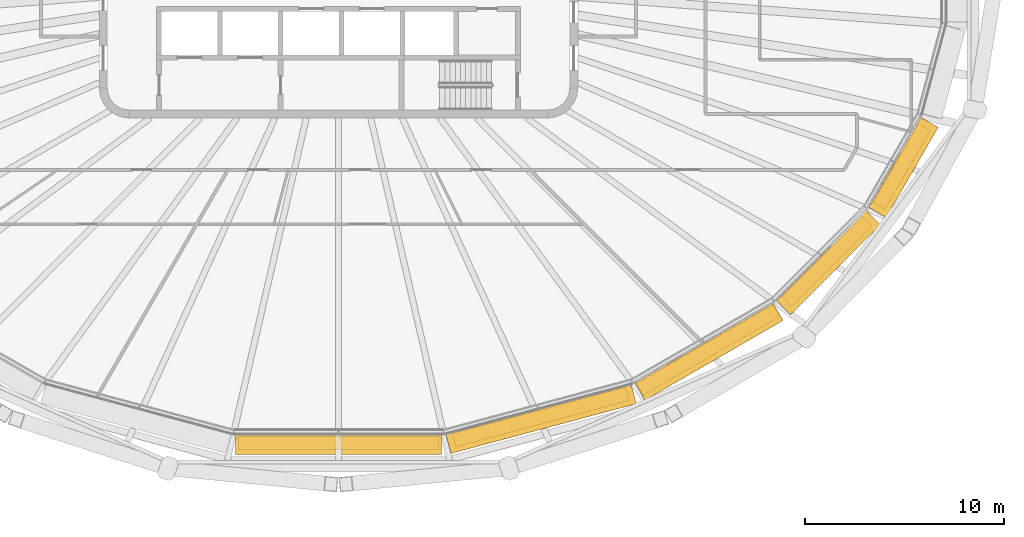
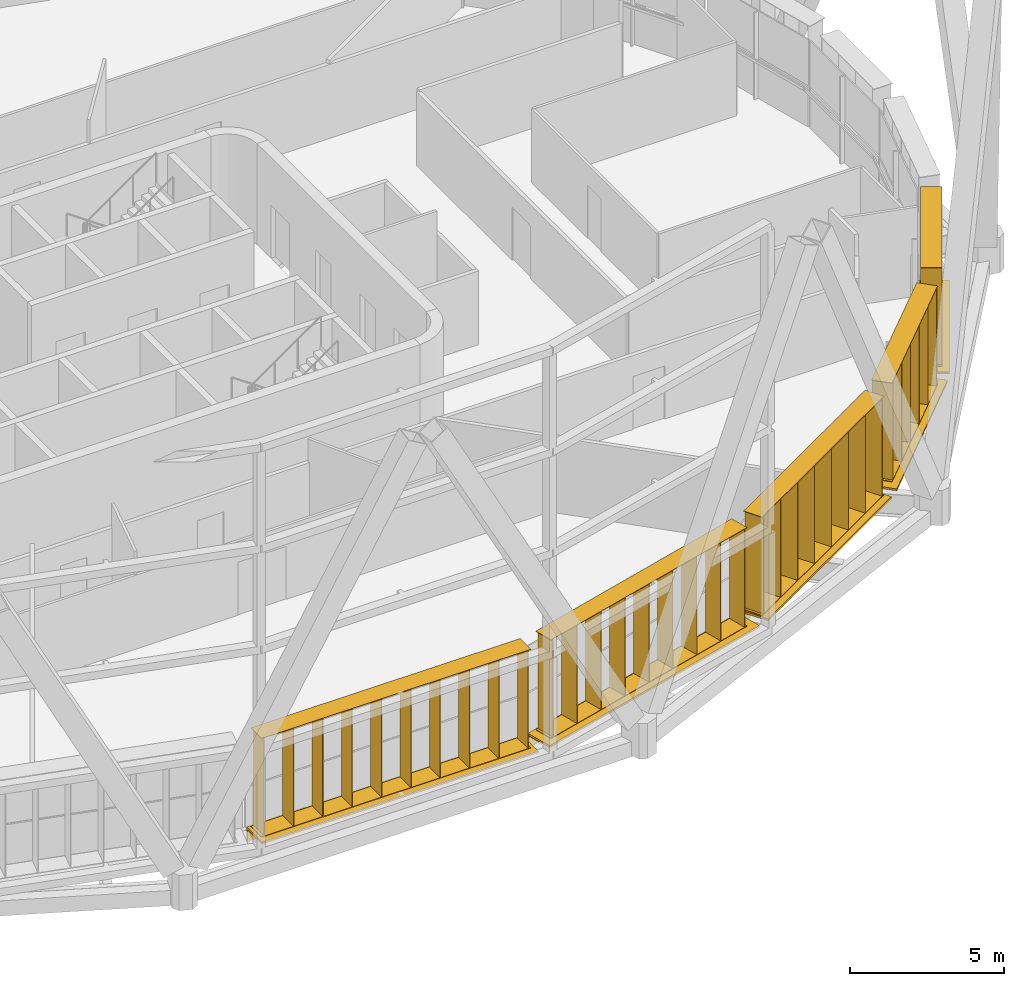
# One storey, part 20 of 22: 10 shading devices.
"""IFC4 building model written with IfcOpenShell, lengths in metres."""

from ifc_helpers import new_model, si_unit, direction, frame, origin, origin_2d, place, context, subcontext, project, spatial, rectangle, extrude, material, type_object, element, save


model = new_model("IFC4")

# Units and contexts
model_context = context("Model", 3, precision=1e-05, world=origin(), true_north=direction((0.0, 1.0)))
body_context = subcontext(model_context, "Body", "Model", "MODEL_VIEW")
ifc_project = project(units=[si_unit("LENGTHUNIT", "METRE"), si_unit("AREAUNIT", "SQUARE_METRE"), si_unit("VOLUMEUNIT", "CUBIC_METRE"), si_unit("PLANEANGLEUNIT", "RADIAN"), si_unit("MASSUNIT", "GRAM", prefix="KILO")], contexts=[model_context])

# Site, building, storey
site_placement = place(None, origin())
site = spatial("IfcSite", under=ifc_project, at=site_placement, CompositionType="ELEMENT")
building_placement = place(site_placement, origin())
building = spatial("IfcBuilding", under=site, at=building_placement, Name="Sahrelin Media Tower", CompositionType="ELEMENT")
storey_placement = place(building_placement, frame((0.0, 0.0, 233.60009765625)))
storey = spatial("IfcBuildingStorey", under=building, at=storey_placement, Name="L50", CompositionType="ELEMENT", Elevation=233.60009765625)

# Shading devices
ifc_material = material(Name="Champagne anodised aluminium 6063-T6", Category="aluminium")
shading_device_type_1 = type_object("IfcShadingDeviceType", Name="Fin cassette", PredefinedType="USERDEFINED", material=ifc_material)
placement_1 = place(storey_placement, frame((0.0, -22.869140625, 0.0), z_axis=(0.0, 0.0, 1.0), x_axis=(-1.0, 0.0, 0.0)))
element("IfcShadingDevice", 1, at=placement_1, inside=storey, type_object=shading_device_type_1, Name="L50:FIN:L50-18", ObjectType="FIN", PredefinedType="USERDEFINED", context=body_context, shape_type="SweptSolid", body=[
    extrude(rectangle(XDim=10.10009765625, YDim=0.699951171875, at=origin_2d()), frame((0.0, 0.419921875, 0.0)), (0.0, 0.0, 1.0), 0.02001953125),
    extrude(rectangle(XDim=10.10009765625, YDim=0.699951171875, at=origin_2d()), frame((0.0, 0.419921875, 3.89990234375)), (0.0, 0.0, 1.0), 0.02001953125),
    extrude(rectangle(XDim=0.02001953125, YDim=0.699951171875, at=origin_2d()), frame((-4.949951171875, 0.419921875, 0.010009765625), z_axis=(0.0, 0.0, 1.0), x_axis=(1.0, 0.0, 0.0)), (0.0, 0.0, 1.0), 3.89990234375),
    extrude(rectangle(XDim=0.02001953125, YDim=0.699951171875, at=origin_2d()), frame((-3.85009765625, 0.419921875, 0.010009765625), z_axis=(0.0, 0.0, 1.0), x_axis=(1.0, 0.0, 0.0)), (0.0, 0.0, 1.0), 3.89990234375),
    extrude(rectangle(XDim=0.02001953125, YDim=0.699951171875, at=origin_2d()), frame((-2.75, 0.419921875, 0.010009765625), z_axis=(0.0, 0.0, 1.0), x_axis=(1.0, 0.0, 0.0)), (0.0, 0.0, 1.0), 3.89990234375),
    extrude(rectangle(XDim=0.02001953125, YDim=0.699951171875, at=origin_2d()), frame((-1.64990234375, 0.419921875, 0.010009765625), z_axis=(0.0, 0.0, 1.0), x_axis=(1.0, 0.0, 0.0)), (0.0, 0.0, 1.0), 3.89990234375),
    extrude(rectangle(XDim=0.02001953125, YDim=0.699951171875, at=origin_2d()), frame((-0.550048828125, 0.419921875, 0.010009765625), z_axis=(0.0, 0.0, 1.0), x_axis=(1.0, 0.0, 0.0)), (0.0, 0.0, 1.0), 3.89990234375),
    extrude(rectangle(XDim=0.02001953125, YDim=0.699951171875, at=origin_2d()), frame((0.550048828125, 0.419921875, 0.010009765625), z_axis=(0.0, 0.0, 1.0), x_axis=(1.0, 0.0, 0.0)), (0.0, 0.0, 1.0), 3.89990234375),
    extrude(rectangle(XDim=0.02001953125, YDim=0.699951171875, at=origin_2d()), frame((1.64990234375, 0.419921875, 0.010009765625), z_axis=(0.0, 0.0, 1.0), x_axis=(1.0, 0.0, 0.0)), (0.0, 0.0, 1.0), 3.89990234375),
    extrude(rectangle(XDim=0.02001953125, YDim=0.699951171875, at=origin_2d()), frame((2.75, 0.419921875, 0.010009765625), z_axis=(0.0, 0.0, 1.0), x_axis=(1.0, 0.0, 0.0)), (0.0, 0.0, 1.0), 3.89990234375),
    extrude(rectangle(XDim=0.02001953125, YDim=0.699951171875, at=origin_2d()), frame((3.85009765625, 0.419921875, 0.010009765625), z_axis=(0.0, 0.0, 1.0), x_axis=(1.0, 0.0, 0.0)), (0.0, 0.0, 1.0), 3.89990234375),
    extrude(rectangle(XDim=0.02001953125, YDim=0.699951171875, at=origin_2d()), frame((4.949951171875, 0.419921875, 0.010009765625), z_axis=(0.0, 0.0, 1.0), x_axis=(1.0, 0.0, 0.0)), (0.0, 0.0, 1.0), 3.89990234375),
])
placement_2 = place(storey_placement, frame((10.025634765625, -21.596923828125, 0.0), z_axis=(0.0, 0.0, 1.0), x_axis=(-0.965928857556, -0.258807731996, 0.0)))
element("IfcShadingDevice", 2, at=placement_2, inside=storey, type_object=shading_device_type_1, Name="L50:FIN:L50-19", ObjectType="FIN", PredefinedType="USERDEFINED", context=body_context, shape_type="SweptSolid", body=[
    extrude(rectangle(XDim=9.0, YDim=0.699951171875, at=origin_2d()), frame((0.0, 0.419921875, 0.0)), (0.0, 0.0, 1.0), 0.02001953125),
    extrude(rectangle(XDim=9.0, YDim=0.699951171875, at=origin_2d()), frame((0.0, 0.419921875, 3.89990234375)), (0.0, 0.0, 1.0), 0.02001953125),
    extrude(rectangle(XDim=0.02001953125, YDim=0.699951171875, at=origin_2d()), frame((-4.39990234375, 0.419921875, 0.010009765625), z_axis=(0.0, 0.0, 1.0), x_axis=(1.0, 0.0, 0.0)), (0.0, 0.0, 1.0), 3.89990234375),
    extrude(rectangle(XDim=0.02001953125, YDim=0.699951171875, at=origin_2d()), frame((-3.300048828125, 0.419921875, 0.010009765625), z_axis=(0.0, 0.0, 1.0), x_axis=(1.0, 0.0, 0.0)), (0.0, 0.0, 1.0), 3.89990234375),
    extrude(rectangle(XDim=0.02001953125, YDim=0.699951171875, at=origin_2d()), frame((-2.199951171875, 0.419921875, 0.010009765625), z_axis=(0.0, 0.0, 1.0), x_axis=(1.0, 0.0, 0.0)), (0.0, 0.0, 1.0), 3.89990234375),
    extrude(rectangle(XDim=0.02001953125, YDim=0.699951171875, at=origin_2d()), frame((-1.10009765625, 0.419921875, 0.010009765625), z_axis=(0.0, 0.0, 1.0), x_axis=(1.0, 0.0, 0.0)), (0.0, 0.0, 1.0), 3.89990234375),
    extrude(rectangle(XDim=0.02001953125, YDim=0.699951171875, at=origin_2d()), frame((0.0, 0.419921875, 0.010009765625), z_axis=(0.0, 0.0, 1.0), x_axis=(1.0, 0.0, 0.0)), (0.0, 0.0, 1.0), 3.89990234375),
    extrude(rectangle(XDim=0.02001953125, YDim=0.699951171875, at=origin_2d()), frame((1.10009765625, 0.419921875, 0.010009765625), z_axis=(0.0, 0.0, 1.0), x_axis=(1.0, 0.0, 0.0)), (0.0, 0.0, 1.0), 3.89990234375),
    extrude(rectangle(XDim=0.02001953125, YDim=0.699951171875, at=origin_2d()), frame((2.199951171875, 0.419921875, 0.010009765625), z_axis=(0.0, 0.0, 1.0), x_axis=(1.0, 0.0, 0.0)), (0.0, 0.0, 1.0), 3.89990234375),
    extrude(rectangle(XDim=0.02001953125, YDim=0.699951171875, at=origin_2d()), frame((3.300048828125, 0.419921875, 0.010009765625), z_axis=(0.0, 0.0, 1.0), x_axis=(1.0, 0.0, 0.0)), (0.0, 0.0, 1.0), 3.89990234375),
    extrude(rectangle(XDim=0.02001953125, YDim=0.699951171875, at=origin_2d()), frame((4.39990234375, 0.419921875, 0.010009765625), z_axis=(0.0, 0.0, 1.0), x_axis=(1.0, 0.0, 0.0)), (0.0, 0.0, 1.0), 3.89990234375),
])
placement_3 = place(storey_placement, frame((18.326416015625, -18.273681640625, 0.0), z_axis=(0.0, 0.0, 1.0), x_axis=(-0.866019052629, -0.500011000363, 0.0)))
element("IfcShadingDevice", 3, at=placement_3, inside=storey, type_object=shading_device_type_1, Name="L50:FIN:L50-20", ObjectType="FIN", PredefinedType="USERDEFINED", context=body_context, shape_type="SweptSolid", body=[
    extrude(rectangle(XDim=7.89990234375, YDim=0.699951171875, at=origin_2d()), frame((0.0, 0.419921875, 0.0)), (0.0, 0.0, 1.0), 0.02001953125),
    extrude(rectangle(XDim=7.89990234375, YDim=0.699951171875, at=origin_2d()), frame((0.0, 0.419921875, 3.89990234375)), (0.0, 0.0, 1.0), 0.02001953125),
    extrude(rectangle(XDim=0.02001953125, YDim=0.699951171875, at=origin_2d()), frame((-3.85009765625, 0.419921875, 0.010009765625), z_axis=(0.0, 0.0, 1.0), x_axis=(1.0, 0.0, 0.0)), (0.0, 0.0, 1.0), 3.89990234375),
    extrude(rectangle(XDim=0.02001953125, YDim=0.699951171875, at=origin_2d()), frame((-2.75, 0.419921875, 0.010009765625), z_axis=(0.0, 0.0, 1.0), x_axis=(1.0, 0.0, 0.0)), (0.0, 0.0, 1.0), 3.89990234375),
    extrude(rectangle(XDim=0.02001953125, YDim=0.699951171875, at=origin_2d()), frame((-1.64990234375, 0.419921875, 0.010009765625), z_axis=(0.0, 0.0, 1.0), x_axis=(1.0, 0.0, 0.0)), (0.0, 0.0, 1.0), 3.89990234375),
    extrude(rectangle(XDim=0.02001953125, YDim=0.699951171875, at=origin_2d()), frame((-0.550048828125, 0.419921875, 0.010009765625), z_axis=(0.0, 0.0, 1.0), x_axis=(1.0, 0.0, 0.0)), (0.0, 0.0, 1.0), 3.89990234375),
    extrude(rectangle(XDim=0.02001953125, YDim=0.699951171875, at=origin_2d()), frame((0.550048828125, 0.419921875, 0.010009765625), z_axis=(0.0, 0.0, 1.0), x_axis=(1.0, 0.0, 0.0)), (0.0, 0.0, 1.0), 3.89990234375),
    extrude(rectangle(XDim=0.02001953125, YDim=0.699951171875, at=origin_2d()), frame((1.64990234375, 0.419921875, 0.010009765625), z_axis=(0.0, 0.0, 1.0), x_axis=(1.0, 0.0, 0.0)), (0.0, 0.0, 1.0), 3.89990234375),
    extrude(rectangle(XDim=0.02001953125, YDim=0.699951171875, at=origin_2d()), frame((2.75, 0.419921875, 0.010009765625), z_axis=(0.0, 0.0, 1.0), x_axis=(1.0, 0.0, 0.0)), (0.0, 0.0, 1.0), 3.89990234375),
    extrude(rectangle(XDim=0.02001953125, YDim=0.699951171875, at=origin_2d()), frame((3.85009765625, 0.419921875, 0.010009765625), z_axis=(0.0, 0.0, 1.0), x_axis=(1.0, 0.0, 0.0)), (0.0, 0.0, 1.0), 3.89990234375),
])
placement_4 = place(storey_placement, frame((24.206298828125, -13.895263671875, 0.0), z_axis=(0.0, 0.0, 1.0), x_axis=(-0.707106781187, -0.707106781187, 0.0)))
element("IfcShadingDevice", 4, at=placement_4, inside=storey, type_object=shading_device_type_1, Name="L50:FIN:L50-21", ObjectType="FIN", PredefinedType="USERDEFINED", context=body_context, shape_type="SweptSolid", body=[
    extrude(rectangle(XDim=5.699951171875, YDim=0.699951171875, at=origin_2d()), frame((0.0, 0.419921875, 0.0)), (0.0, 0.0, 1.0), 0.02001953125),
    extrude(rectangle(XDim=5.699951171875, YDim=0.699951171875, at=origin_2d()), frame((0.0, 0.419921875, 3.89990234375)), (0.0, 0.0, 1.0), 0.02001953125),
    extrude(rectangle(XDim=0.02001953125, YDim=0.699951171875, at=origin_2d()), frame((-2.75, 0.419921875, 0.010009765625), z_axis=(0.0, 0.0, 1.0), x_axis=(1.0, 0.0, 0.0)), (0.0, 0.0, 1.0), 3.89990234375),
    extrude(rectangle(XDim=0.02001953125, YDim=0.699951171875, at=origin_2d()), frame((-1.64990234375, 0.419921875, 0.010009765625), z_axis=(0.0, 0.0, 1.0), x_axis=(1.0, 0.0, 0.0)), (0.0, 0.0, 1.0), 3.89990234375),
    extrude(rectangle(XDim=0.02001953125, YDim=0.699951171875, at=origin_2d()), frame((-0.550048828125, 0.419921875, 0.010009765625), z_axis=(0.0, 0.0, 1.0), x_axis=(1.0, 0.0, 0.0)), (0.0, 0.0, 1.0), 3.89990234375),
    extrude(rectangle(XDim=0.02001953125, YDim=0.699951171875, at=origin_2d()), frame((0.550048828125, 0.419921875, 0.010009765625), z_axis=(0.0, 0.0, 1.0), x_axis=(1.0, 0.0, 0.0)), (0.0, 0.0, 1.0), 3.89990234375),
    extrude(rectangle(XDim=0.02001953125, YDim=0.699951171875, at=origin_2d()), frame((1.64990234375, 0.419921875, 0.010009765625), z_axis=(0.0, 0.0, 1.0), x_axis=(1.0, 0.0, 0.0)), (0.0, 0.0, 1.0), 3.89990234375),
    extrude(rectangle(XDim=0.02001953125, YDim=0.699951171875, at=origin_2d()), frame((2.75, 0.419921875, 0.010009765625), z_axis=(0.0, 0.0, 1.0), x_axis=(1.0, 0.0, 0.0)), (0.0, 0.0, 1.0), 3.89990234375),
])
placement_5 = place(storey_placement, frame((27.887939453125, -9.221923828125, 0.0), z_axis=(0.0, 0.0, 1.0), x_axis=(-0.500011000363, -0.866019052629, 0.0)))
element("IfcShadingDevice", 5, at=placement_5, inside=storey, type_object=shading_device_type_1, Name="L50:FIN:L50-22", ObjectType="FIN", PredefinedType="USERDEFINED", context=body_context, shape_type="SweptSolid", body=[
    extrude(rectangle(XDim=4.60009765625, YDim=0.699951171875, at=origin_2d()), frame((0.0, 0.419921875, 0.0)), (0.0, 0.0, 1.0), 0.02001953125),
    extrude(rectangle(XDim=4.60009765625, YDim=0.699951171875, at=origin_2d()), frame((0.0, 0.419921875, 3.89990234375)), (0.0, 0.0, 1.0), 0.02001953125),
    extrude(rectangle(XDim=0.02001953125, YDim=0.699951171875, at=origin_2d()), frame((-2.199951171875, 0.419921875, 0.010009765625), z_axis=(0.0, 0.0, 1.0), x_axis=(1.0, 0.0, 0.0)), (0.0, 0.0, 1.0), 3.89990234375),
    extrude(rectangle(XDim=0.02001953125, YDim=0.699951171875, at=origin_2d()), frame((-1.10009765625, 0.419921875, 0.010009765625), z_axis=(0.0, 0.0, 1.0), x_axis=(1.0, 0.0, 0.0)), (0.0, 0.0, 1.0), 3.89990234375),
    extrude(rectangle(XDim=0.02001953125, YDim=0.699951171875, at=origin_2d()), frame((0.0, 0.419921875, 0.010009765625), z_axis=(0.0, 0.0, 1.0), x_axis=(1.0, 0.0, 0.0)), (0.0, 0.0, 1.0), 3.89990234375),
    extrude(rectangle(XDim=0.02001953125, YDim=0.699951171875, at=origin_2d()), frame((1.10009765625, 0.419921875, 0.010009765625), z_axis=(0.0, 0.0, 1.0), x_axis=(1.0, 0.0, 0.0)), (0.0, 0.0, 1.0), 3.89990234375),
    extrude(rectangle(XDim=0.02001953125, YDim=0.699951171875, at=origin_2d()), frame((2.199951171875, 0.419921875, 0.010009765625), z_axis=(0.0, 0.0, 1.0), x_axis=(1.0, 0.0, 0.0)), (0.0, 0.0, 1.0), 3.89990234375),
])
shading_device_type_2 = type_object("IfcShadingDeviceType", Name="Sunshade band", PredefinedType="USERDEFINED", material=ifc_material)
element("IfcShadingDevice", 6, at=placement_1, inside=storey, type_object=shading_device_type_2, Name="L50:SUN:L50-18", ObjectType="SUNSHADE", PredefinedType="USERDEFINED", context=body_context, shape_type="SweptSolid", body=[
    extrude(rectangle(XDim=10.355224609375, YDim=0.050048828125, at=origin_2d()), frame((0.0, 0.044921875, -0.55126953125)), (0.0, 0.0, 1.0), 0.471435546875),
    extrude(rectangle(XDim=10.355224609375, YDim=1.0, at=origin_2d()), frame((0.0, 0.52001953125, -0.080078125)), (0.0, 0.0, 1.0), 0.080078125),
    extrude(rectangle(XDim=0.10009765625, YDim=0.074951171875, at=origin_2d()), frame((-5.07763671875, -0.017578125, -0.47021484375)), (0.0, 0.0, 1.0), 0.300048828125),
    extrude(rectangle(XDim=0.10009765625, YDim=0.074951171875, at=origin_2d()), frame((-3.385009765625, -0.017578125, -0.47021484375)), (0.0, 0.0, 1.0), 0.300048828125),
    extrude(rectangle(XDim=0.10009765625, YDim=0.074951171875, at=origin_2d()), frame((-1.6923828125, -0.017578125, -0.47021484375)), (0.0, 0.0, 1.0), 0.300048828125),
    extrude(rectangle(XDim=0.10009765625, YDim=0.074951171875, at=origin_2d()), frame((0.0, -0.017578125, -0.47021484375)), (0.0, 0.0, 1.0), 0.300048828125),
    extrude(rectangle(XDim=0.10009765625, YDim=0.074951171875, at=origin_2d()), frame((1.6923828125, -0.017578125, -0.47021484375)), (0.0, 0.0, 1.0), 0.300048828125),
    extrude(rectangle(XDim=0.10009765625, YDim=0.074951171875, at=origin_2d()), frame((3.385009765625, -0.017578125, -0.47021484375)), (0.0, 0.0, 1.0), 0.300048828125),
    extrude(rectangle(XDim=0.10009765625, YDim=0.074951171875, at=origin_2d()), frame((5.07763671875, -0.017578125, -0.47021484375)), (0.0, 0.0, 1.0), 0.300048828125),
])
element("IfcShadingDevice", 7, at=placement_2, inside=storey, type_object=shading_device_type_2, Name="L50:SUN:L50-19", ObjectType="SUNSHADE", PredefinedType="USERDEFINED", context=body_context, shape_type="SweptSolid", body=[
    extrude(rectangle(XDim=9.631103515625, YDim=0.050048828125, at=origin_2d()), frame((0.0, 0.044921875, -0.55126953125)), (0.0, 0.0, 1.0), 0.471435546875),
    extrude(rectangle(XDim=9.631103515625, YDim=1.0, at=origin_2d()), frame((0.0, 0.52001953125, -0.080078125)), (0.0, 0.0, 1.0), 0.080078125),
    extrude(rectangle(XDim=0.10009765625, YDim=0.074951171875, at=origin_2d()), frame((-4.715576171875, -0.017578125, -0.47021484375)), (0.0, 0.0, 1.0), 0.300048828125),
    extrude(rectangle(XDim=0.10009765625, YDim=0.074951171875, at=origin_2d()), frame((-2.829345703125, -0.017578125, -0.47021484375)), (0.0, 0.0, 1.0), 0.300048828125),
    extrude(rectangle(XDim=0.10009765625, YDim=0.074951171875, at=origin_2d()), frame((-0.943115234375, -0.017578125, -0.47021484375)), (0.0, 0.0, 1.0), 0.300048828125),
    extrude(rectangle(XDim=0.10009765625, YDim=0.074951171875, at=origin_2d()), frame((0.943115234375, -0.017578125, -0.47021484375)), (0.0, 0.0, 1.0), 0.300048828125),
    extrude(rectangle(XDim=0.10009765625, YDim=0.074951171875, at=origin_2d()), frame((2.829345703125, -0.017578125, -0.47021484375)), (0.0, 0.0, 1.0), 0.300048828125),
    extrude(rectangle(XDim=0.10009765625, YDim=0.074951171875, at=origin_2d()), frame((4.715576171875, -0.017578125, -0.47021484375)), (0.0, 0.0, 1.0), 0.300048828125),
])
element("IfcShadingDevice", 8, at=placement_3, inside=storey, type_object=shading_device_type_2, Name="L50:SUN:L50-20", ObjectType="SUNSHADE", PredefinedType="USERDEFINED", context=body_context, shape_type="SweptSolid", body=[
    extrude(rectangle(XDim=8.004150390625, YDim=0.050048828125, at=origin_2d()), frame((0.0, 0.044921875, -0.55126953125)), (0.0, 0.0, 1.0), 0.471435546875),
    extrude(rectangle(XDim=8.004150390625, YDim=1.0, at=origin_2d()), frame((0.0, 0.52001953125, -0.080078125)), (0.0, 0.0, 1.0), 0.080078125),
    extrude(rectangle(XDim=0.10009765625, YDim=0.074951171875, at=origin_2d()), frame((-3.902099609375, -0.017578125, -0.47021484375)), (0.0, 0.0, 1.0), 0.300048828125),
    extrude(rectangle(XDim=0.10009765625, YDim=0.074951171875, at=origin_2d()), frame((-2.34130859375, -0.017578125, -0.47021484375)), (0.0, 0.0, 1.0), 0.300048828125),
    extrude(rectangle(XDim=0.10009765625, YDim=0.074951171875, at=origin_2d()), frame((-0.780517578125, -0.017578125, -0.47021484375)), (0.0, 0.0, 1.0), 0.300048828125),
    extrude(rectangle(XDim=0.10009765625, YDim=0.074951171875, at=origin_2d()), frame((0.780517578125, -0.017578125, -0.47021484375)), (0.0, 0.0, 1.0), 0.300048828125),
    extrude(rectangle(XDim=0.10009765625, YDim=0.074951171875, at=origin_2d()), frame((2.34130859375, -0.017578125, -0.47021484375)), (0.0, 0.0, 1.0), 0.300048828125),
    extrude(rectangle(XDim=0.10009765625, YDim=0.074951171875, at=origin_2d()), frame((3.902099609375, -0.017578125, -0.47021484375)), (0.0, 0.0, 1.0), 0.300048828125),
])
element("IfcShadingDevice", 9, at=placement_4, inside=storey, type_object=shading_device_type_2, Name="L50:SUN:L50-21", ObjectType="SUNSHADE", PredefinedType="USERDEFINED", context=body_context, shape_type="SweptSolid", body=[
    extrude(rectangle(XDim=6.3828125, YDim=0.050048828125, at=origin_2d()), frame((0.0, 0.044921875, -0.55126953125)), (0.0, 0.0, 1.0), 0.471435546875),
    extrude(rectangle(XDim=6.3828125, YDim=1.0, at=origin_2d()), frame((0.0, 0.52001953125, -0.080078125)), (0.0, 0.0, 1.0), 0.080078125),
    extrude(rectangle(XDim=0.10009765625, YDim=0.074951171875, at=origin_2d()), frame((-3.09130859375, -0.017578125, -0.47021484375)), (0.0, 0.0, 1.0), 0.300048828125),
    extrude(rectangle(XDim=0.10009765625, YDim=0.074951171875, at=origin_2d()), frame((-1.545654296875, -0.017578125, -0.47021484375)), (0.0, 0.0, 1.0), 0.300048828125),
    extrude(rectangle(XDim=0.10009765625, YDim=0.074951171875, at=origin_2d()), frame((0.0, -0.017578125, -0.47021484375)), (0.0, 0.0, 1.0), 0.300048828125),
    extrude(rectangle(XDim=0.10009765625, YDim=0.074951171875, at=origin_2d()), frame((1.545654296875, -0.017578125, -0.47021484375)), (0.0, 0.0, 1.0), 0.300048828125),
    extrude(rectangle(XDim=0.10009765625, YDim=0.074951171875, at=origin_2d()), frame((3.09130859375, -0.017578125, -0.47021484375)), (0.0, 0.0, 1.0), 0.300048828125),
])
element("IfcShadingDevice", 10, at=placement_5, inside=storey, type_object=shading_device_type_2, Name="L50:SUN:L50-22", ObjectType="SUNSHADE", PredefinedType="USERDEFINED", context=body_context, shape_type="SweptSolid", body=[
    extrude(rectangle(XDim=5.218017578125, YDim=0.050048828125, at=origin_2d()), frame((0.0, 0.044921875, -0.55126953125)), (0.0, 0.0, 1.0), 0.471435546875),
    extrude(rectangle(XDim=5.218017578125, YDim=1.0, at=origin_2d()), frame((0.0, 0.52001953125, -0.080078125)), (0.0, 0.0, 1.0), 0.080078125),
    extrude(rectangle(XDim=0.10009765625, YDim=0.074951171875, at=origin_2d()), frame((-2.509033203125, -0.017578125, -0.47021484375)), (0.0, 0.0, 1.0), 0.300048828125),
    extrude(rectangle(XDim=0.10009765625, YDim=0.074951171875, at=origin_2d()), frame((-0.836181640625, -0.017578125, -0.47021484375)), (0.0, 0.0, 1.0), 0.300048828125),
    extrude(rectangle(XDim=0.10009765625, YDim=0.074951171875, at=origin_2d()), frame((0.836181640625, -0.017578125, -0.47021484375)), (0.0, 0.0, 1.0), 0.300048828125),
    extrude(rectangle(XDim=0.10009765625, YDim=0.074951171875, at=origin_2d()), frame((2.509033203125, -0.017578125, -0.47021484375)), (0.0, 0.0, 1.0), 0.300048828125),
])

save(model, "model.ifc")
